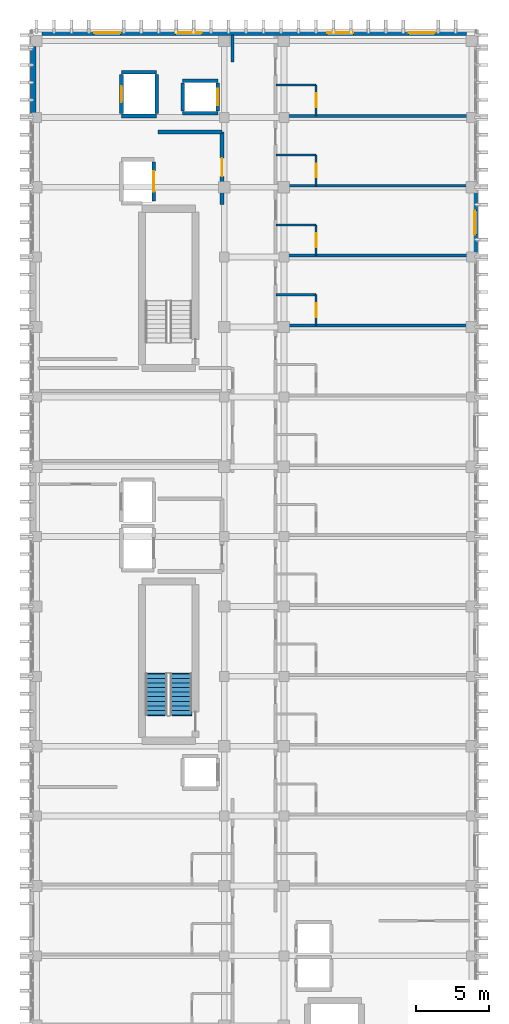
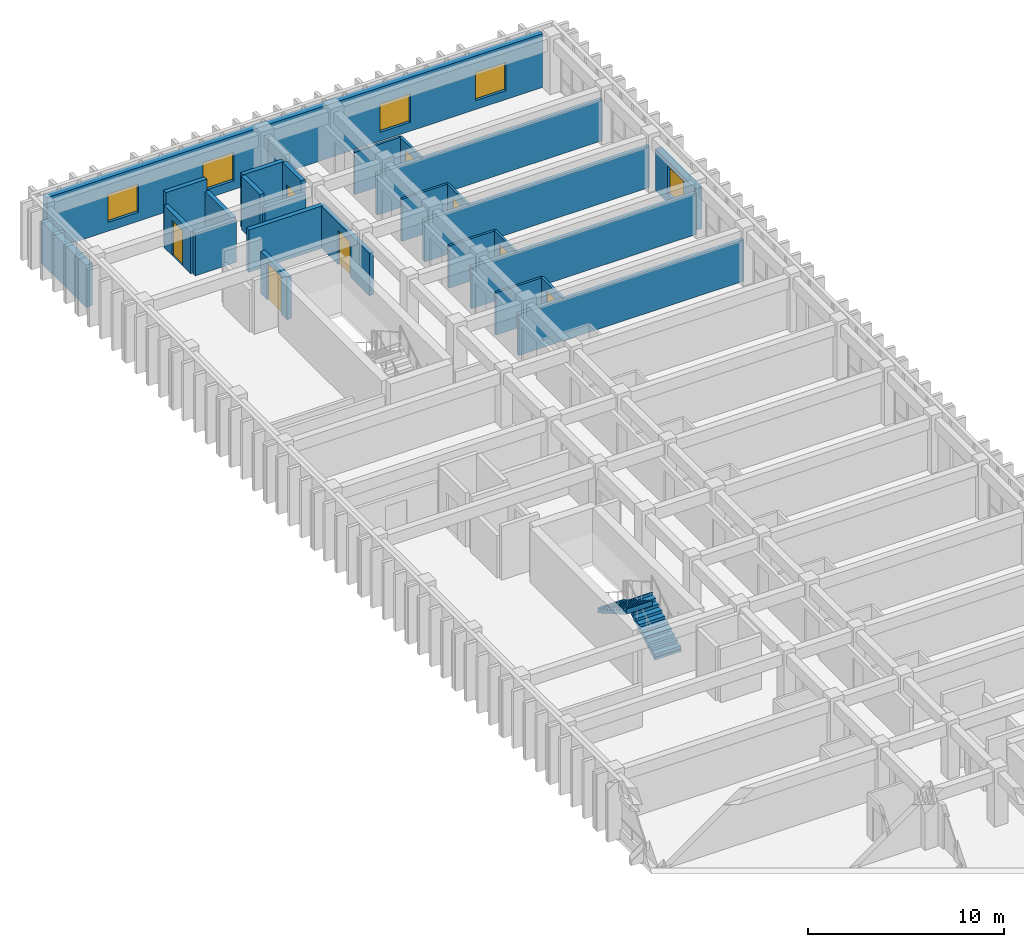
# One storey, part 59 of 68: 27 walls, 8 doors, 5 windows, 2 stair flights, 13 openings, 1 element without a shape of its own.
"""IFC4 building model written with IfcOpenShell, lengths in metres."""

from ifc_helpers import new_model, si_unit, direction, frame, frame_2d, origin, place, context, subcontext, project, spatial, polyline, rectangle, outline, extrude, material, layer, layer_set, type_object, element, fill, aggregate, save


model = new_model("IFC4")

# Units and contexts
model_context = context("Model", 3, precision=1e-05, world=origin(), true_north=direction((0.0, 1.0)))
body_context = subcontext(model_context, "Body", "Model", "MODEL_VIEW")
ifc_project = project(units=[si_unit("LENGTHUNIT", "METRE"), si_unit("AREAUNIT", "SQUARE_METRE"), si_unit("VOLUMEUNIT", "CUBIC_METRE"), si_unit("PLANEANGLEUNIT", "RADIAN"), si_unit("MASSUNIT", "GRAM", prefix="KILO")], contexts=[model_context])

# Site, building, storey
site_placement = place(None, origin())
site = spatial("IfcSite", under=ifc_project, at=site_placement, CompositionType="ELEMENT")
building_placement = place(site_placement, origin())
building = spatial("IfcBuilding", under=site, at=building_placement, Name="Nakhvara Creek Congress Hotel", CompositionType="ELEMENT")
storey_placement = place(building_placement, frame((0.0, 0.0, 24.60009765625)))
storey = spatial("IfcBuildingStorey", under=building, at=storey_placement, Name="L05", CompositionType="ELEMENT", Elevation=24.60009765625)

# Wall
ifc_material_1 = material(Name="Gypsum acoustic board on steel stud", Category="steel")
ifc_layer_1 = layer(ifc_material_1, 0.219970703125)
ifc_layer_set_1 = layer_set([ifc_layer_1], Name="Gypsum acoustic board on steel stud")
wall_type_1 = type_object("IfcWallType", Name="W-CORR-220", PredefinedType="PARTITIONING", material=ifc_layer_set_1)
wall_1_placement = place(storey_placement, frame((162.919921875, 123.800048828125, 0.0), z_axis=(0.0, 0.0, 1.0), x_axis=(0.0, 1.0, 0.0)))
element("IfcWall", 1, at=wall_1_placement, inside=storey, type_object=wall_type_1, Name="Interior Wall WP11-IW-L05-0369", PredefinedType="PARTITIONING", context=body_context, shape_type="SweptSolid", body=[
    extrude(rectangle(XDim=1.849853515625, YDim=0.219970703125, at=frame_2d((0.9248046875, 0.0))), origin(), (0.0, 0.0, 1.0), 2.581787109375),
])

# Wall, opening, door
ifc_material_2 = material(Name="Moisture-resistant gypsum board partition")
ifc_layer_2 = layer(ifc_material_2, 0.139892578125)
ifc_layer_set_2 = layer_set([ifc_layer_2], Name="Moisture-resistant gypsum board partition")
wall_type_2 = type_object("IfcWallType", Name="W-ENS-140", PredefinedType="PARTITIONING", material=ifc_layer_set_2)
wall_2_placement = place(storey_placement, frame((168.669921875, 105.699951171875, 0.0), z_axis=(0.0, 0.0, 1.0), x_axis=(0.0, 1.0, 0.0)))
wall_2 = element("IfcWall", 2, at=wall_2_placement, inside=storey, type_object=wall_type_2, Name="Interior Wall WP15-IW-L05-0428", PredefinedType="PARTITIONING", context=body_context, shape_type="SweptSolid", body=[
    extrude(rectangle(XDim=2.115966796875, YDim=0.139892578125, at=frame_2d((1.05810546875, 0.0))), origin(), (0.0, 0.0, 1.0), 2.6318359375),
])
opening_1_placement = place(wall_2_placement, frame((0.5830078125, 0.0, 0.0)))
opening_1 = element("IfcOpeningElement", 3, at=opening_1_placement, cuts=wall_2, Name="Opening ID02", PredefinedType="OPENING", context=body_context, shape_type="SweptSolid", body=[
    extrude(rectangle(XDim=0.9599609375, YDim=2.1201171875, at=frame_2d((0.47998046875, 1.06005859375))), frame((0.0, 0.08203125, 0.0), z_axis=(0.0, -1.0, 0.0), x_axis=(1.0, 0.0, 0.0)), (0.0, 0.0, 1.0), 0.163818359375),
])
ifc_material_3 = material(Name="Moisture-resistant walnut timber door", Category="wood")
door_type_1 = type_object("IfcDoorType", Name="DT-ENS-096", OperationType="NOTDEFINED", PredefinedType="DOOR", material=ifc_material_3)
door_1_placement = place(opening_1_placement, frame((0.9599609375, 0.0, 0.0), z_axis=(0.0, 0.0, 1.0), x_axis=(-1.0, 0.0, 0.0)))
door_1 = element("IfcDoor", 4, at=door_1_placement, inside=storey, type_object=door_type_1, Name="Interior Door ID02-0339", OperationType="SINGLE_SWING_RIGHT", OverallHeight=2.1201171875, OverallWidth=0.9599609375, PredefinedType="DOOR", context=body_context, shape_type="SweptSolid", body=[
    extrude(rectangle(XDim=0.9599609375, YDim=2.1201171875, at=frame_2d((0.47998046875, 1.06005859375))), frame((0.0, 0.02490234375, 0.0), z_axis=(0.0, -1.0, 0.0), x_axis=(1.0, 0.0, 0.0)), (0.0, 0.0, 1.0), 0.050048828125),
])
fill(opening_1, door_1)

# Wall
wall_3_placement = place(storey_placement, frame((165.919921875, 107.81591796875, 0.0), z_axis=(0.0, 0.0, 1.0), x_axis=(1.0, 0.0, 0.0)))
element("IfcWall", 5, at=wall_3_placement, inside=storey, type_object=wall_type_2, Name="Interior Wall WP15-IW-L05-0429", PredefinedType="PARTITIONING", context=body_context, shape_type="SweptSolid", body=[
    extrude(rectangle(XDim=2.75, YDim=0.139892578125, at=frame_2d((1.375, 0.0))), origin(), (0.0, 0.0, 1.0), 2.6318359375),
])

# Wall, opening, door
wall_4_placement = place(storey_placement, frame((168.669921875, 110.5, 0.0), z_axis=(0.0, 0.0, 1.0), x_axis=(0.0, 1.0, 0.0)))
wall_4 = element("IfcWall", 6, at=wall_4_placement, inside=storey, type_object=wall_type_2, Name="Interior Wall WP15-IW-L05-0431", PredefinedType="PARTITIONING", context=body_context, shape_type="SweptSolid", body=[
    extrude(rectangle(XDim=2.115966796875, YDim=0.139892578125, at=frame_2d((1.05810546875, 0.0))), origin(), (0.0, 0.0, 1.0), 2.6318359375),
])
opening_2_placement = place(wall_4_placement, frame((0.5830078125, 0.0, 0.0)))
opening_2 = element("IfcOpeningElement", 7, at=opening_2_placement, cuts=wall_4, Name="Opening ID02", PredefinedType="OPENING", context=body_context, shape_type="SweptSolid", body=[
    extrude(rectangle(XDim=0.9599609375, YDim=2.1201171875, at=frame_2d((0.47998046875, 1.06005859375))), frame((0.0, 0.08203125, 0.0), z_axis=(0.0, -1.0, 0.0), x_axis=(1.0, 0.0, 0.0)), (0.0, 0.0, 1.0), 0.163818359375),
])
door_2_placement = place(opening_2_placement, frame((0.9599609375, 0.0, 0.0), z_axis=(0.0, 0.0, 1.0), x_axis=(-1.0, 0.0, 0.0)))
door_2 = element("IfcDoor", 8, at=door_2_placement, inside=storey, type_object=door_type_1, Name="Interior Door ID02-0341", OperationType="SINGLE_SWING_RIGHT", OverallHeight=2.1201171875, OverallWidth=0.9599609375, PredefinedType="DOOR", context=body_context, shape_type="SweptSolid", body=[
    extrude(rectangle(XDim=0.9599609375, YDim=2.1201171875, at=frame_2d((0.47998046875, 1.06005859375))), frame((0.0, 0.02490234375, 0.0), z_axis=(0.0, -1.0, 0.0), x_axis=(1.0, 0.0, 0.0)), (0.0, 0.0, 1.0), 0.050048828125),
])
fill(opening_2, door_2)

# Wall
wall_5_placement = place(storey_placement, frame((165.919921875, 112.615966796875, 0.0), z_axis=(0.0, 0.0, 1.0), x_axis=(1.0, 0.0, 0.0)))
element("IfcWall", 9, at=wall_5_placement, inside=storey, type_object=wall_type_2, Name="Interior Wall WP15-IW-L05-0432", PredefinedType="PARTITIONING", context=body_context, shape_type="SweptSolid", body=[
    extrude(rectangle(XDim=2.75, YDim=0.139892578125, at=frame_2d((1.375, 0.0))), origin(), (0.0, 0.0, 1.0), 2.6318359375),
])

# Wall, opening, door
wall_6_placement = place(storey_placement, frame((168.669921875, 115.300048828125, 0.0), z_axis=(0.0, 0.0, 1.0), x_axis=(0.0, 1.0, 0.0)))
wall_6 = element("IfcWall", 10, at=wall_6_placement, inside=storey, type_object=wall_type_2, Name="Interior Wall WP15-IW-L05-0434", PredefinedType="PARTITIONING", context=body_context, shape_type="SweptSolid", body=[
    extrude(rectangle(XDim=2.115966796875, YDim=0.139892578125, at=frame_2d((1.05810546875, 0.0))), origin(), (0.0, 0.0, 1.0), 2.6318359375),
])
opening_3_placement = place(wall_6_placement, frame((0.5830078125, 0.0, 0.0)))
opening_3 = element("IfcOpeningElement", 11, at=opening_3_placement, cuts=wall_6, Name="Opening ID01", PredefinedType="OPENING", context=body_context, shape_type="SweptSolid", body=[
    extrude(rectangle(XDim=0.919921875, YDim=2.10009765625, at=frame_2d((0.4599609375, 1.050048828125))), frame((0.0, 0.08203125, 0.0), z_axis=(0.0, -1.0, 0.0), x_axis=(1.0, 0.0, 0.0)), (0.0, 0.0, 1.0), 0.163818359375),
])
door_type_2 = type_object("IfcDoorType", Name="DT-ENS-092", OperationType="NOTDEFINED", PredefinedType="DOOR", material=ifc_material_3)
door_3_placement = place(opening_3_placement, frame((0.919921875, 0.0, 0.0), z_axis=(0.0, 0.0, 1.0), x_axis=(-1.0, 0.0, 0.0)))
door_3 = element("IfcDoor", 12, at=door_3_placement, inside=storey, type_object=door_type_2, Name="Interior Door ID01-0343", OperationType="SINGLE_SWING_RIGHT", OverallHeight=2.10009765625, OverallWidth=0.919921875, PredefinedType="DOOR", context=body_context, shape_type="SweptSolid", body=[
    extrude(rectangle(XDim=0.919921875, YDim=2.10009765625, at=frame_2d((0.4599609375, 1.050048828125))), frame((0.0, 0.02490234375, 0.0), z_axis=(0.0, -1.0, 0.0), x_axis=(1.0, 0.0, 0.0)), (0.0, 0.0, 1.0), 0.050048828125),
])
fill(opening_3, door_3)

# Wall
wall_7_placement = place(storey_placement, frame((165.919921875, 117.416015625, 0.0), z_axis=(0.0, 0.0, 1.0), x_axis=(1.0, 0.0, 0.0)))
element("IfcWall", 13, at=wall_7_placement, inside=storey, type_object=wall_type_2, Name="Interior Wall WP15-IW-L05-0435", PredefinedType="PARTITIONING", context=body_context, shape_type="SweptSolid", body=[
    extrude(rectangle(XDim=2.75, YDim=0.139892578125, at=frame_2d((1.375, 0.0))), origin(), (0.0, 0.0, 1.0), 2.6318359375),
])

# Wall, opening, door
wall_8_placement = place(storey_placement, frame((168.669921875, 120.10009765625, 0.0), z_axis=(0.0, 0.0, 1.0), x_axis=(0.0, 1.0, 0.0)))
wall_8 = element("IfcWall", 14, at=wall_8_placement, inside=storey, type_object=wall_type_2, Name="Interior Wall WP15-IW-L05-0437", PredefinedType="PARTITIONING", context=body_context, shape_type="SweptSolid", body=[
    extrude(rectangle(XDim=2.115966796875, YDim=0.139892578125, at=frame_2d((1.05810546875, 0.0))), origin(), (0.0, 0.0, 1.0), 2.6318359375),
])
opening_4_placement = place(wall_8_placement, frame((0.5830078125, 0.0, 0.0)))
opening_4 = element("IfcOpeningElement", 15, at=opening_4_placement, cuts=wall_8, Name="Opening ID02", PredefinedType="OPENING", context=body_context, shape_type="SweptSolid", body=[
    extrude(rectangle(XDim=0.9599609375, YDim=2.1201171875, at=frame_2d((0.47998046875, 1.06005859375))), frame((0.0, 0.08203125, 0.0), z_axis=(0.0, -1.0, 0.0), x_axis=(1.0, 0.0, 0.0)), (0.0, 0.0, 1.0), 0.163818359375),
])
door_4_placement = place(opening_4_placement, frame((0.9599609375, 0.0, 0.0), z_axis=(0.0, 0.0, 1.0), x_axis=(-1.0, 0.0, 0.0)))
door_4 = element("IfcDoor", 16, at=door_4_placement, inside=storey, type_object=door_type_1, Name="Interior Door ID02-0345", OperationType="SINGLE_SWING_RIGHT", OverallHeight=2.1201171875, OverallWidth=0.9599609375, PredefinedType="DOOR", context=body_context, shape_type="SweptSolid", body=[
    extrude(rectangle(XDim=0.9599609375, YDim=2.1201171875, at=frame_2d((0.47998046875, 1.06005859375))), frame((0.0, 0.02490234375, 0.0), z_axis=(0.0, -1.0, 0.0), x_axis=(1.0, 0.0, 0.0)), (0.0, 0.0, 1.0), 0.050048828125),
])
fill(opening_4, door_4)

# Wall
wall_9_placement = place(storey_placement, frame((165.919921875, 122.216064453125, 0.0), z_axis=(0.0, 0.0, 1.0), x_axis=(1.0, 0.0, 0.0)))
element("IfcWall", 17, at=wall_9_placement, inside=storey, type_object=wall_type_2, Name="Interior Wall WP15-IW-L05-0438", PredefinedType="PARTITIONING", context=body_context, shape_type="SweptSolid", body=[
    extrude(rectangle(XDim=2.75, YDim=0.139892578125, at=frame_2d((1.375, 0.0))), origin(), (0.0, 0.0, 1.0), 2.6318359375),
])

# Wall, openings, windows
ifc_material_4 = material(Name="Honed pale Omani limestone cladding", Category="masonry")
ifc_layer_3 = layer(ifc_material_4, 0.050048828125)
ifc_material_5 = material(Name="Mineral wool thermal insulation")
ifc_layer_4 = layer(ifc_material_5, 0.110107421875)
ifc_material_6 = material(Name="Precast concrete C40/50", Category="concrete")
ifc_layer_5 = layer(ifc_material_6, 0.219970703125)
ifc_layer_set_3 = layer_set([ifc_layer_3, ifc_layer_4, ifc_layer_5], Name="Precast concrete C40/50")
wall_type_3 = type_object("IfcWallType", Name="W-EXT-380", PredefinedType="SOLIDWALL", material=ifc_layer_set_3)
wall_10_placement = place(storey_placement, frame((149.81494140625, 125.81005859375, 0.0), z_axis=(0.0, 0.0, 1.0), x_axis=(1.0, 0.0, 0.0)))
wall_10 = element("IfcWall", 18, at=wall_10_placement, inside=storey, type_object=wall_type_3, Name="Exterior Wall WE03-EW-L05-0147", PredefinedType="SOLIDWALL", context=body_context, shape_type="SweptSolid", body=[
    extrude(rectangle(XDim=29.170166015625, YDim=0.3798828125, at=frame_2d((14.5849609375, 0.0))), origin(), (0.0, 0.0, 1.0), 3.33984375),
])
opening_5_placement = place(wall_10_placement, frame((3.60009765625, 0.0, 0.550048828125)))
opening_5 = element("IfcOpeningElement", 19, at=opening_5_placement, cuts=wall_10, Name="Opening WN0155", PredefinedType="OPENING", context=body_context, shape_type="SweptSolid", body=[
    extrude(rectangle(XDim=1.800048828125, YDim=1.760009765625, at=frame_2d((0.89990234375, 0.8798828125))), frame((0.0, 0.201904296875, 0.0), z_axis=(0.0, -1.0, 0.0), x_axis=(1.0, 0.0, 0.0)), (0.0, 0.0, 1.0), 0.40380859375),
])
opening_6_placement = place(wall_10_placement, frame((9.199951171875, 0.0, 0.550048828125)))
opening_6 = element("IfcOpeningElement", 20, at=opening_6_placement, cuts=wall_10, Name="Opening WN0156", PredefinedType="OPENING", context=body_context, shape_type="SweptSolid", body=[
    extrude(rectangle(XDim=1.800048828125, YDim=1.760009765625, at=frame_2d((0.89990234375, 0.8798828125))), frame((0.0, 0.201904296875, 0.0), z_axis=(0.0, -1.0, 0.0), x_axis=(1.0, 0.0, 0.0)), (0.0, 0.0, 1.0), 0.40380859375),
])
opening_7_placement = place(wall_10_placement, frame((19.60009765625, 0.0, 0.550048828125)))
opening_7 = element("IfcOpeningElement", 21, at=opening_7_placement, cuts=wall_10, Name="Opening WN0157", PredefinedType="OPENING", context=body_context, shape_type="SweptSolid", body=[
    extrude(rectangle(XDim=1.800048828125, YDim=1.760009765625, at=frame_2d((0.89990234375, 0.8798828125))), frame((0.0, 0.201904296875, 0.0), z_axis=(0.0, -1.0, 0.0), x_axis=(1.0, 0.0, 0.0)), (0.0, 0.0, 1.0), 0.40380859375),
])
opening_8_placement = place(wall_10_placement, frame((25.199951171875, 0.0, 0.550048828125)))
opening_8 = element("IfcOpeningElement", 22, at=opening_8_placement, cuts=wall_10, Name="Opening WN0158", PredefinedType="OPENING", context=body_context, shape_type="SweptSolid", body=[
    extrude(rectangle(XDim=1.800048828125, YDim=1.760009765625, at=frame_2d((0.89990234375, 0.8798828125))), frame((0.0, 0.201904296875, 0.0), z_axis=(0.0, -1.0, 0.0), x_axis=(1.0, 0.0, 0.0)), (0.0, 0.0, 1.0), 0.40380859375),
])
ifc_material_7 = material(Name="Thermally broken bronze-anodised aluminium and double-silver low-E insulated glass", Category="aluminium")
window_type_1 = type_object("IfcWindowType", Name="WN-LAN-180X225", PartitioningType="SINGLE_PANEL", PredefinedType="WINDOW", material=ifc_material_7)
window_1_placement = place(opening_5_placement, origin())
window_1 = element("IfcWindow", 23, at=window_1_placement, inside=storey, type_object=window_type_1, Name="Facade Window WN0155", OverallHeight=1.760009765625, OverallWidth=1.800048828125, PartitioningType="SINGLE_PANEL", PredefinedType="WINDOW", context=body_context, shape_type="SweptSolid", body=[
    extrude(rectangle(XDim=1.800048828125, YDim=1.760009765625, at=frame_2d((0.89990234375, 0.8798828125))), frame((0.0, 0.030029296875, 0.0), z_axis=(0.0, -1.0, 0.0), x_axis=(1.0, 0.0, 0.0)), (0.0, 0.0, 1.0), 0.06005859375),
])
fill(opening_5, window_1)
window_2_placement = place(opening_6_placement, origin())
window_2 = element("IfcWindow", 24, at=window_2_placement, inside=storey, type_object=window_type_1, Name="Facade Window WN0156", OverallHeight=1.760009765625, OverallWidth=1.800048828125, PartitioningType="SINGLE_PANEL", PredefinedType="WINDOW", context=body_context, shape_type="SweptSolid", body=[
    extrude(rectangle(XDim=1.800048828125, YDim=1.760009765625, at=frame_2d((0.89990234375, 0.8798828125))), frame((0.0, 0.030029296875, 0.0), z_axis=(0.0, -1.0, 0.0), x_axis=(1.0, 0.0, 0.0)), (0.0, 0.0, 1.0), 0.06005859375),
])
fill(opening_6, window_2)
window_3_placement = place(opening_7_placement, origin())
window_3 = element("IfcWindow", 25, at=window_3_placement, inside=storey, type_object=window_type_1, Name="Facade Window WN0157", OverallHeight=1.760009765625, OverallWidth=1.800048828125, PartitioningType="SINGLE_PANEL", PredefinedType="WINDOW", context=body_context, shape_type="SweptSolid", body=[
    extrude(rectangle(XDim=1.800048828125, YDim=1.760009765625, at=frame_2d((0.89990234375, 0.8798828125))), frame((0.0, 0.030029296875, 0.0), z_axis=(0.0, -1.0, 0.0), x_axis=(1.0, 0.0, 0.0)), (0.0, 0.0, 1.0), 0.06005859375),
])
fill(opening_7, window_3)
window_4_placement = place(opening_8_placement, origin())
window_4 = element("IfcWindow", 26, at=window_4_placement, inside=storey, type_object=window_type_1, Name="Facade Window WN0158", OverallHeight=1.760009765625, OverallWidth=1.800048828125, PartitioningType="SINGLE_PANEL", PredefinedType="WINDOW", context=body_context, shape_type="SweptSolid", body=[
    extrude(rectangle(XDim=1.800048828125, YDim=1.760009765625, at=frame_2d((0.89990234375, 0.8798828125))), frame((0.0, 0.030029296875, 0.0), z_axis=(0.0, -1.0, 0.0), x_axis=(1.0, 0.0, 0.0)), (0.0, 0.0, 1.0), 0.06005859375),
])
fill(opening_8, window_4)

# Wall, opening, window
wall_11_placement = place(storey_placement, frame((179.56005859375, 114.8349609375, 0.0), z_axis=(0.0, 0.0, 1.0), x_axis=(0.0, -1.0, 0.0)))
wall_11 = element("IfcWall", 27, at=wall_11_placement, inside=storey, type_object=wall_type_3, Name="Exterior Wall WE03-EW-L05-0160", PredefinedType="SOLIDWALL", context=body_context, shape_type="SweptSolid", body=[
    extrude(rectangle(XDim=4.119873046875, YDim=0.3798828125, at=frame_2d((2.06005859375, 0.0))), origin(), (0.0, 0.0, 1.0), 2.581787109375),
])
opening_9_placement = place(wall_11_placement, frame((1.235107421875, 0.0, 0.550048828125)))
opening_9 = element("IfcOpeningElement", 28, at=opening_9_placement, cuts=wall_11, Name="Opening WN0169", PredefinedType="OPENING", context=body_context, shape_type="SweptSolid", body=[
    extrude(rectangle(XDim=1.64990234375, YDim=1.75, at=frame_2d((0.824951171875, 0.875))), frame((0.0, 0.201904296875, 0.0), z_axis=(0.0, -1.0, 0.0), x_axis=(1.0, 0.0, 0.0)), (0.0, 0.0, 1.0), 0.40380859375),
])
window_type_2 = type_object("IfcWindowType", Name="WN-LAN-165X225", PartitioningType="SINGLE_PANEL", PredefinedType="WINDOW", material=ifc_material_7)
window_5_placement = place(opening_9_placement, origin())
window_5 = element("IfcWindow", 29, at=window_5_placement, inside=storey, type_object=window_type_2, Name="Facade Window WN0169", OverallHeight=1.75, OverallWidth=1.64990234375, PartitioningType="SINGLE_PANEL", PredefinedType="WINDOW", context=body_context, shape_type="SweptSolid", body=[
    extrude(rectangle(XDim=1.64990234375, YDim=1.75, at=frame_2d((0.824951171875, 0.875))), frame((0.0, 0.030029296875, 0.0), z_axis=(0.0, -1.0, 0.0), x_axis=(1.0, 0.0, 0.0)), (0.0, 0.0, 1.0), 0.06005859375),
])
fill(opening_9, window_5)

# Wall
wall_12_placement = place(storey_placement, frame((149.239990234375, 120.31494140625, 0.0), z_axis=(0.0, 0.0, 1.0), x_axis=(0.0, 1.0, 0.0)))
element("IfcWall", 30, at=wall_12_placement, inside=storey, type_object=wall_type_3, Name="Exterior Wall WE03-EW-L05-0161", PredefinedType="SOLIDWALL", context=body_context, shape_type="SweptSolid", body=[
    extrude(rectangle(XDim=4.570068359375, YDim=0.3798828125, at=frame_2d((2.28515625, 0.0))), origin(), (0.0, 0.0, 1.0), 2.6318359375),
])

# Wall, opening, door
ifc_material_8 = material(Name="Concrete C40/50", Category="concrete")
ifc_layer_6 = layer(ifc_material_8, 0.260009765625)
ifc_layer_set_4 = layer_set([ifc_layer_6], Name="Concrete C40/50")
wall_type_4 = type_object("IfcWallType", Name="W-FFL-260", PredefinedType="SOLIDWALL", material=ifc_layer_set_4)
wall_13_placement = place(storey_placement, frame((162.199951171875, 114.0, 0.0), z_axis=(0.0, 0.0, 1.0), x_axis=(0.0, 1.0, 0.0)))
wall_13 = element("IfcWall", 31, at=wall_13_placement, inside=storey, type_object=wall_type_4, Name="Core Shear Wall WI03-CWALL-L05-0410", PredefinedType="SOLIDWALL", context=body_context, shape_type="SweptSolid", body=[
    extrude(rectangle(XDim=5.0, YDim=0.260009765625, at=frame_2d((2.5, 0.0))), origin(), (0.0, 0.0, 1.0), 2.6318359375),
])
opening_10_placement = place(wall_13_placement, frame((1.949951171875, 0.0, 0.0)))
opening_10 = element("IfcOpeningElement", 32, at=opening_10_placement, cuts=wall_13, Name="Opening FD05", PredefinedType="OPENING", context=body_context, shape_type="SweptSolid", body=[
    extrude(rectangle(XDim=1.25, YDim=2.14990234375, at=frame_2d((0.625, 1.074951171875))), frame((0.0, 0.14208984375, 0.0), z_axis=(0.0, -1.0, 0.0), x_axis=(1.0, 0.0, 0.0)), (0.0, 0.0, 1.0), 0.283935546875),
])
ifc_material_9 = material(Name="Hardwood-veneered steel fire door", Category="steel")
door_type_3 = type_object("IfcDoorType", Name="DT-FFL-125", OperationType="NOTDEFINED", PredefinedType="DOOR", material=ifc_material_9)
door_5_placement = place(opening_10_placement, origin())
door_5 = element("IfcDoor", 33, at=door_5_placement, inside=storey, type_object=door_type_3, Name="Firefighting Lobby Door C2-L05", OperationType="DOUBLE_DOOR_SINGLE_SWING", OverallHeight=2.14990234375, OverallWidth=1.25, PredefinedType="DOOR", context=body_context, shape_type="SweptSolid", body=[
    extrude(rectangle(XDim=1.25, YDim=2.14990234375, at=frame_2d((0.625, 1.074951171875))), frame((0.0, 0.02490234375, 0.0), z_axis=(0.0, -1.0, 0.0), x_axis=(1.0, 0.0, 0.0)), (0.0, 0.0, 1.0), 0.050048828125),
])
fill(opening_10, door_5)

# Walls
wall_14_placement = place(storey_placement, frame((157.800048828125, 119.0, 0.0), z_axis=(0.0, 0.0, 1.0), x_axis=(1.0, 0.0, 0.0)))
element("IfcWall", 34, at=wall_14_placement, inside=storey, type_object=wall_type_4, Name="Core Shear Wall WI03-CWALL-L05-0411", PredefinedType="SOLIDWALL", context=body_context, shape_type="SweptSolid", body=[
    extrude(rectangle(XDim=4.39990234375, YDim=0.260009765625, at=frame_2d((2.199951171875, 0.0))), origin(), (0.0, 0.0, 1.0), 2.6318359375),
])
ifc_layer_7 = layer(ifc_material_1, 0.199951171875)
ifc_layer_set_5 = layer_set([ifc_layer_7], Name="Gypsum acoustic board on steel stud")
wall_type_5 = type_object("IfcWallType", Name="W-PART-200", PredefinedType="PARTITIONING", material=ifc_layer_set_5)
for number, where, z_axis, x_axis, name in (
    (35, (166.02001953125, 105.699951171875, 0.0), (0.0, 0.0, 1.0), (1.0, 0.0, 0.0), "Interior Wall WP12-IW-L05-0427"),
    (36, (166.02001953125, 110.5, 0.0), (0.0, 0.0, 1.0), (1.0, 0.0, 0.0), "Interior Wall WP12-IW-L05-0430"),
    (37, (166.02001953125, 115.300048828125, 0.0), (0.0, 0.0, 1.0), (1.0, 0.0, 0.0), "Interior Wall WP12-IW-L05-0433"),
    (38, (166.02001953125, 120.10009765625, 0.0), (0.0, 0.0, 1.0), (1.0, 0.0, 0.0), "Interior Wall WP12-IW-L05-0436"),
):
    element("IfcWall", number, at=place(storey_placement, frame(where, z_axis=z_axis, x_axis=x_axis)), inside=storey, type_object=wall_type_5, Name=name, PredefinedType="PARTITIONING", context=body_context, shape_type="SweptSolid", body=[
        extrude(rectangle(XDim=13.22998046875, YDim=0.199951171875, at=frame_2d((6.614990234375, 0.0))), origin(), (0.0, 0.0, 1.0), 2.581787109375),
    ])

# Wall, opening, door
ifc_layer_8 = layer(ifc_material_8, 0.25)
ifc_layer_set_6 = layer_set([ifc_layer_8], Name="Concrete C40/50")
wall_type_6 = type_object("IfcWallType", Name="W-SHAFT-250", PredefinedType="SOLIDWALL", material=ifc_layer_set_6)
wall_15_placement = place(storey_placement, frame((157.510009765625, 114.25, 0.0), z_axis=(0.0, 0.0, 1.0), x_axis=(0.0, 1.0, 0.0)))
wall_15 = element("IfcWall", 39, at=wall_15_placement, inside=storey, type_object=wall_type_6, Name="Core Shear Wall WI02-CWALL-L05-0401", PredefinedType="SOLIDWALL", context=body_context, shape_type="SweptSolid", body=[
    extrude(rectangle(XDim=2.699951171875, YDim=0.25, at=frame_2d((1.35009765625, 0.0))), origin(), (0.0, 0.0, 1.0), 2.6318359375),
])
opening_11_placement = place(wall_15_placement, frame((0.64990234375, 0.0, 0.0)))
opening_11 = element("IfcOpeningElement", 40, at=opening_11_placement, cuts=wall_15, Name="Opening LD02", PredefinedType="OPENING", context=body_context, shape_type="SweptSolid", body=[
    extrude(rectangle(XDim=1.39990234375, YDim=2.300048828125, at=frame_2d((0.699951171875, 1.14990234375))), frame((0.0, 0.136962890625, 0.0), z_axis=(0.0, -1.0, 0.0), x_axis=(1.0, 0.0, 0.0)), (0.0, 0.0, 1.0), 0.27392578125),
])
ifc_material_10 = material(Name="Brushed stainless steel heavy goods landing door", Category="steel")
door_type_4 = type_object("IfcDoorType", Name="DT-LIFT-140", OperationType="DOUBLE_DOOR_SLIDING", PredefinedType="DOOR", material=ifc_material_10)
door_6_placement = place(opening_11_placement, origin())
door_6 = element("IfcDoor", 41, at=door_6_placement, inside=storey, type_object=door_type_4, Name="Landing Door FFL2-L05", OperationType="SLIDING_TO_LEFT", OverallHeight=2.300048828125, OverallWidth=1.39990234375, PredefinedType="DOOR", context=body_context, shape_type="SweptSolid", body=[
    extrude(rectangle(XDim=1.39990234375, YDim=2.300048828125, at=frame_2d((0.699951171875, 1.14990234375))), frame((0.0, 0.02490234375, 0.0), z_axis=(0.0, -1.0, 0.0), x_axis=(1.0, 0.0, 0.0)), (0.0, 0.0, 1.0), 0.050048828125),
])
fill(opening_11, door_6)

# Walls
wall_16_placement = place(storey_placement, frame((159.489990234375, 120.2900390625, 0.0), z_axis=(0.0, 0.0, 1.0), x_axis=(1.0, 0.0, 0.0)))
element("IfcWall", 42, at=wall_16_placement, inside=storey, type_object=wall_type_6, Name="Core Shear Wall WI02-CWALL-L05-0402", PredefinedType="SOLIDWALL", context=body_context, shape_type="SweptSolid", body=[
    extrude(rectangle(XDim=2.419921875, YDim=0.25, at=frame_2d((1.2099609375, 0.0))), origin(), (0.0, 0.0, 1.0), 2.6318359375),
])
wall_17_placement = place(storey_placement, frame((159.489990234375, 122.510009765625, 0.0), z_axis=(0.0, 0.0, 1.0), x_axis=(1.0, 0.0, 0.0)))
element("IfcWall", 43, at=wall_17_placement, inside=storey, type_object=wall_type_6, Name="Core Shear Wall WI02-CWALL-L05-0403", PredefinedType="SOLIDWALL", context=body_context, shape_type="SweptSolid", body=[
    extrude(rectangle(XDim=2.419921875, YDim=0.25, at=frame_2d((1.2099609375, 0.0))), origin(), (0.0, 0.0, 1.0), 3.33984375),
])
wall_18_placement = place(storey_placement, frame((159.489990234375, 120.449951171875, 0.0), z_axis=(0.0, 0.0, 1.0), x_axis=(0.0, 1.0, 0.0)))
element("IfcWall", 44, at=wall_18_placement, inside=storey, type_object=wall_type_6, Name="Core Shear Wall WI02-CWALL-L05-0404", PredefinedType="SOLIDWALL", context=body_context, shape_type="SweptSolid", body=[
    extrude(rectangle(XDim=1.900146484375, YDim=0.25, at=frame_2d((0.9501953125, 0.0))), origin(), (0.0, 0.0, 1.0), 3.33984375),
])

# Wall, opening, door
wall_19_placement = place(storey_placement, frame((161.909912109375, 120.449951171875, 0.0), z_axis=(0.0, 0.0, 1.0), x_axis=(0.0, 1.0, 0.0)))
wall_19 = element("IfcWall", 45, at=wall_19_placement, inside=storey, type_object=wall_type_6, Name="Core Shear Wall WI02-CWALL-L05-0405", PredefinedType="SOLIDWALL", context=body_context, shape_type="SweptSolid", body=[
    extrude(rectangle(XDim=1.900146484375, YDim=0.25, at=frame_2d((0.9501953125, 0.0))), origin(), (0.0, 0.0, 1.0), 3.33984375),
])
opening_12_placement = place(wall_19_placement, frame((0.39990234375, 0.0, 0.0)))
opening_12 = element("IfcOpeningElement", 46, at=opening_12_placement, cuts=wall_19, Name="Opening LD01", PredefinedType="OPENING", context=body_context, shape_type="SweptSolid", body=[
    extrude(rectangle(XDim=1.10009765625, YDim=2.199951171875, at=frame_2d((0.550048828125, 1.10009765625))), frame((0.0, 0.136962890625, 0.0), z_axis=(0.0, -1.0, 0.0), x_axis=(1.0, 0.0, 0.0)), (0.0, 0.0, 1.0), 0.27392578125),
])
ifc_material_11 = material(Name="Brushed stainless steel sliding landing door", Category="steel")
door_type_5 = type_object("IfcDoorType", Name="DT-LIFT-110", OperationType="DOUBLE_DOOR_SLIDING", PredefinedType="DOOR", material=ifc_material_11)
door_7_placement = place(opening_12_placement, origin())
door_7 = element("IfcDoor", 47, at=door_7_placement, inside=storey, type_object=door_type_5, Name="Landing Door PL01-L05", OperationType="SLIDING_TO_LEFT", OverallHeight=2.199951171875, OverallWidth=1.10009765625, PredefinedType="DOOR", context=body_context, shape_type="SweptSolid", body=[
    extrude(rectangle(XDim=1.10009765625, YDim=2.199951171875, at=frame_2d((0.550048828125, 1.10009765625))), frame((0.0, 0.02490234375, 0.0), z_axis=(0.0, -1.0, 0.0), x_axis=(1.0, 0.0, 0.0)), (0.0, 0.0, 1.0), 0.050048828125),
])
fill(opening_12, door_7)

# Walls
wall_20_placement = place(storey_placement, frame((155.2900390625, 120.090087890625, 0.0), z_axis=(0.0, 0.0, 1.0), x_axis=(1.0, 0.0, 0.0)))
element("IfcWall", 48, at=wall_20_placement, inside=storey, type_object=wall_type_6, Name="Core Shear Wall WI02-CWALL-L05-0406", PredefinedType="SOLIDWALL", context=body_context, shape_type="SweptSolid", body=[
    extrude(rectangle(XDim=2.419921875, YDim=0.25, at=frame_2d((1.2099609375, 0.0))), origin(), (0.0, 0.0, 1.0), 2.6318359375),
])
wall_21_placement = place(storey_placement, frame((155.2900390625, 123.110107421875, 0.0), z_axis=(0.0, 0.0, 1.0), x_axis=(1.0, 0.0, 0.0)))
element("IfcWall", 49, at=wall_21_placement, inside=storey, type_object=wall_type_6, Name="Core Shear Wall WI02-CWALL-L05-0407", PredefinedType="SOLIDWALL", context=body_context, shape_type="SweptSolid", body=[
    extrude(rectangle(XDim=2.419921875, YDim=0.25, at=frame_2d((1.2099609375, 0.0))), origin(), (0.0, 0.0, 1.0), 3.33984375),
])

# Wall, opening, door
wall_22_placement = place(storey_placement, frame((155.2900390625, 120.25, 0.0), z_axis=(0.0, 0.0, 1.0), x_axis=(0.0, 1.0, 0.0)))
wall_22 = element("IfcWall", 50, at=wall_22_placement, inside=storey, type_object=wall_type_6, Name="Core Shear Wall WI02-CWALL-L05-0408", PredefinedType="SOLIDWALL", context=body_context, shape_type="SweptSolid", body=[
    extrude(rectangle(XDim=2.699951171875, YDim=0.25, at=frame_2d((1.35009765625, 0.0))), origin(), (0.0, 0.0, 1.0), 2.6318359375),
])
opening_13_placement = place(wall_22_placement, frame((0.800048828125, 0.0, 0.0)))
opening_13 = element("IfcOpeningElement", 51, at=opening_13_placement, cuts=wall_22, Name="Opening LD01", PredefinedType="OPENING", context=body_context, shape_type="SweptSolid", body=[
    extrude(rectangle(XDim=1.10009765625, YDim=2.199951171875, at=frame_2d((0.550048828125, 1.10009765625))), frame((0.0, 0.136962890625, 0.0), z_axis=(0.0, -1.0, 0.0), x_axis=(1.0, 0.0, 0.0)), (0.0, 0.0, 1.0), 0.27392578125),
])
door_8_placement = place(opening_13_placement, origin())
door_8 = element("IfcDoor", 52, at=door_8_placement, inside=storey, type_object=door_type_5, Name="Landing Door SL02-L05", OperationType="SLIDING_TO_LEFT", OverallHeight=2.199951171875, OverallWidth=1.10009765625, PredefinedType="DOOR", context=body_context, shape_type="SweptSolid", body=[
    extrude(rectangle(XDim=1.10009765625, YDim=2.199951171875, at=frame_2d((0.550048828125, 1.10009765625))), frame((0.0, 0.02490234375, 0.0), z_axis=(0.0, -1.0, 0.0), x_axis=(1.0, 0.0, 0.0)), (0.0, 0.0, 1.0), 0.050048828125),
])
fill(opening_13, door_8)

# Wall
wall_23_placement = place(storey_placement, frame((157.7099609375, 120.25, 0.0), z_axis=(0.0, 0.0, 1.0), x_axis=(0.0, 1.0, 0.0)))
element("IfcWall", 53, at=wall_23_placement, inside=storey, type_object=wall_type_6, Name="Core Shear Wall WI02-CWALL-L05-0409", PredefinedType="SOLIDWALL", context=body_context, shape_type="SweptSolid", body=[
    extrude(rectangle(XDim=2.699951171875, YDim=0.25, at=frame_2d((1.35009765625, 0.0))), origin(), (0.0, 0.0, 1.0), 2.6318359375),
])

# Stair, stair flights
stair_type = type_object("IfcStairType", Name="ST-CORE-160", PredefinedType="HALF_TURN_STAIR", material=ifc_material_8)
stair_placement = place(storey_placement, origin())
stair = element("IfcStair", 54, at=stair_placement, inside=storey, type_object=stair_type, Name="L05 Protected Exit Stair ST01", PredefinedType="HALF_TURN_STAIR")
ifc_layer_9 = layer(ifc_material_8, 0.18994140625)
ifc_layer_set_7 = layer_set([ifc_layer_9], Name="Concrete C40/50")
stair_flight_type = type_object("IfcStairFlightType", Name="SFL-RC-160", PredefinedType="STRAIGHT", material=ifc_layer_set_7)
stair_flight_1_placement = place(storey_placement, frame((159.3798828125, 78.93994140625, 0.0), z_axis=(0.0, 0.0, 1.0), x_axis=(0.0, 1.0, 0.0)))
stair_flight_1 = element("IfcStairFlight", 55, at=stair_flight_1_placement, type_object=stair_flight_type, Name="ST01 flight 1", NumberOfRisers=10, NumberOfTreads=9, PredefinedType="STRAIGHT", RiserHeight=0.18, TreadLength=0.315, context=body_context, shape_type="SweptSolid", body=[
    extrude(outline(polyline([(-0.048095703125, 0.0), (0.0, 0.0), (0.0, 0.179931640625), (0.31494140625, 0.179931640625), (0.31494140625, 0.360107421875), (0.6298828125, 0.360107421875), (0.6298828125, 0.5400390625), (0.945068359375, 0.5400390625), (0.945068359375, 0.719970703125), (1.260009765625, 0.719970703125), (1.260009765625, 0.89990234375), (1.574951171875, 0.89990234375), (1.574951171875, 1.080078125), (1.889892578125, 1.080078125), (1.889892578125, 1.260009765625), (2.205078125, 1.260009765625), (2.205078125, 1.43994140625), (2.52001953125, 1.43994140625), (2.52001953125, 1.6201171875), (2.8349609375, 1.6201171875), (2.8349609375, 1.800048828125), (2.883056640625, 1.800048828125), (2.883056640625, 1.650146484375), (2.8349609375, 1.447265625), (0.039794921875, -0.14990234375), (-0.048095703125, -0.14990234375), (-0.048095703125, 0.0)])), frame((0.0, 0.77001953125, 0.0), z_axis=(0.0, -1.0, 0.0), x_axis=(1.0, 0.0, 0.0)), (0.0, 0.0, 1.0), 1.5400390625),
])
stair_flight_2_placement = place(storey_placement, frame((157.68994140625, 81.77490234375, 1.7998046875), z_axis=(0.0, 0.0, 1.0), x_axis=(0.0, -1.0, 0.0)))
stair_flight_2 = element("IfcStairFlight", 56, at=stair_flight_2_placement, type_object=stair_flight_type, Name="ST01 flight 2", NumberOfRisers=10, NumberOfTreads=9, PredefinedType="STRAIGHT", RiserHeight=0.18, TreadLength=0.315, context=body_context, shape_type="SweptSolid", body=[
    extrude(outline(polyline([(-0.048095703125, 0.0), (0.0, 0.0), (0.0, 0.179931640625), (0.31494140625, 0.179931640625), (0.31494140625, 0.360107421875), (0.6298828125, 0.360107421875), (0.6298828125, 0.5400390625), (0.945068359375, 0.5400390625), (0.945068359375, 0.719970703125), (1.260009765625, 0.719970703125), (1.260009765625, 0.89990234375), (1.574951171875, 0.89990234375), (1.574951171875, 1.080078125), (1.889892578125, 1.080078125), (1.889892578125, 1.260009765625), (2.205078125, 1.260009765625), (2.205078125, 1.43994140625), (2.52001953125, 1.43994140625), (2.52001953125, 1.6201171875), (2.8349609375, 1.6201171875), (2.8349609375, 1.800048828125), (2.883056640625, 1.800048828125), (2.883056640625, 1.650146484375), (2.8349609375, 1.447265625), (0.039794921875, -0.14990234375), (-0.048095703125, -0.14990234375), (-0.048095703125, 0.0)])), frame((0.0, 0.77001953125, 0.0), z_axis=(0.0, -1.0, 0.0), x_axis=(1.0, 0.0, 0.0)), (0.0, 0.0, 1.0), 1.5400390625),
])
aggregate(stair, [stair_flight_1, stair_flight_2])

save(model, "model.ifc")
